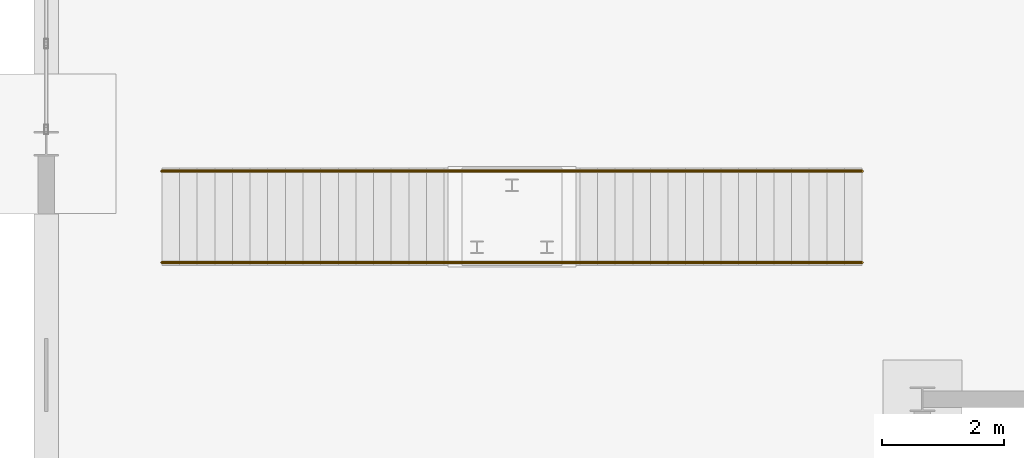
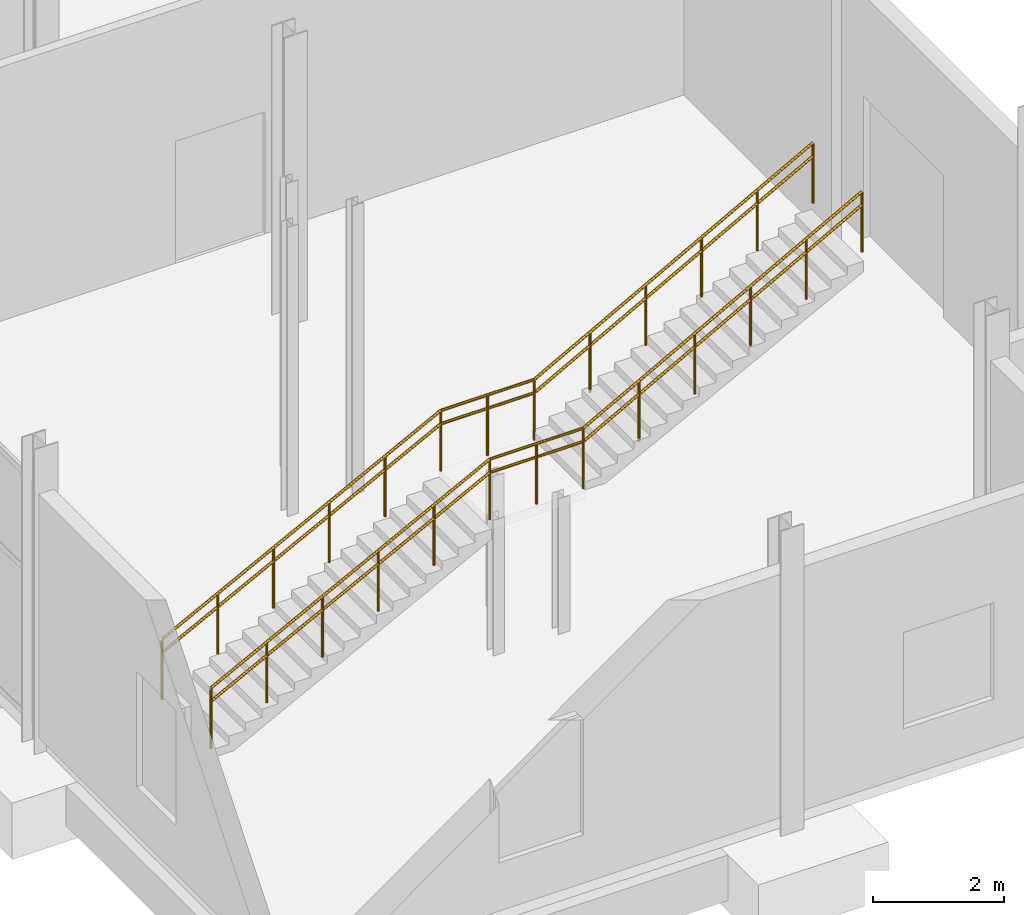
# One storey, part 92 of 95: 4 railings.
"""IFC4 building model written with IfcOpenShell, lengths in metres."""

import ifcopenshell
import ifcopenshell.guid

model = None  # the IFC model being written
_history = None  # IfcOwnerHistory: only IFC2X3 demands one
_inside = {}  # id of a spatial element -> (the spatial element, [elements in it])
_under = {}  # id of a project, library or spatial element -> (it, [spatial elements below it])
_declared = {}  # id of a project -> (the project, [libraries it declares])
_typed = {}  # id of a type object -> (the type object, [elements of that type])
_made_of = {}  # id of a material, layer set ... -> (it, [elements and type objects made of it])


def new_model(schema):
    """Start an empty IFC model of exactly this schema.

    Asked for "IFC4X3", IfcOpenShell would pick the latest addendum, in which some entities
    have other attributes; the version numbers below select the first issue.
    IFC2X3 requires an IfcOwnerHistory on every rooted entity: one is made here for all.
    """
    global model, _history
    if schema == "IFC4X3":
        model = ifcopenshell.file(schema_version=(4, 3, 0, 0))
    else:
        model = ifcopenshell.file(schema=schema)
    _inside.clear()
    _under.clear()
    _declared.clear()
    _typed.clear()
    _made_of.clear()
    _history = None
    if model.schema == "IFC2X3":
        org = make("IfcOrganization", Name="unknown")
        user = make(
            "IfcPersonAndOrganization",
            ThePerson=make("IfcPerson", FamilyName="unknown"),
            TheOrganization=org,
        )
        app = make(
            "IfcApplication",
            ApplicationDeveloper=org,
            Version="unknown",
            ApplicationFullName="unknown",
            ApplicationIdentifier="unknown",
        )
        _history = make(
            "IfcOwnerHistory",
            OwningUser=user,
            OwningApplication=app,
            ChangeAction="ADDED",
            CreationDate=0,
        )
    return model


def make(cls, **values):
    """One entity of the class cls with the attributes given. An attribute that is None is left unset."""
    return model.create_entity(
        cls, **{name: value for name, value in values.items() if value is not None}
    )


def rooted(cls, **values):
    """An entity with a GlobalId (a new one), such as an element, a storey or a relation."""
    return make(cls, GlobalId=ifcopenshell.guid.new(), OwnerHistory=_history, **values)


def si_unit(unit_type, name, prefix=None):
    """IfcSIUnit, for example si_unit("LENGTHUNIT", "METRE", prefix="MILLI")."""
    return make("IfcSIUnit", UnitType=unit_type, Prefix=prefix, Name=name)


def assignment(units):
    """IfcUnitAssignment: the units of a project."""
    return None if units is None else make("IfcUnitAssignment", Units=units)


def point(xyz):
    """IfcCartesianPoint."""
    return None if xyz is None else make("IfcCartesianPoint", Coordinates=xyz)


def direction(xyz):
    """IfcDirection."""
    return None if xyz is None else make("IfcDirection", DirectionRatios=xyz)


def frame(location, z_axis=None, x_axis=None):
    """IfcAxis2Placement3D, a coordinate frame: its origin and axes. An axis left out is left unset."""
    return make(
        "IfcAxis2Placement3D",
        Location=point(location),
        Axis=direction(z_axis),
        RefDirection=direction(x_axis),
    )


def frame_2d(location, x_axis=None):
    """IfcAxis2Placement2D, a coordinate frame in the plane: its origin and x axis."""
    return make(
        "IfcAxis2Placement2D", Location=point(location), RefDirection=direction(x_axis)
    )


def origin():
    """The frame at (0, 0, 0) with its axes left unset."""
    return frame((0.0, 0.0, 0.0))


def origin_2d():
    """The frame at (0, 0) in the plane with its x axis left unset."""
    return frame_2d((0.0, 0.0))


def place(relative_to, where):
    """IfcLocalPlacement: puts the frame where relative to a parent placement (None: the world)."""
    return make(
        "IfcLocalPlacement", PlacementRelTo=relative_to, RelativePlacement=where
    )


def context(
    kind, dimensions, precision=None, world=None, true_north=None, identifier=None
):
    """IfcGeometricRepresentationContext, for example the 3D "Model" context."""
    return make(
        "IfcGeometricRepresentationContext",
        ContextIdentifier=identifier,
        ContextType=kind,
        CoordinateSpaceDimension=dimensions,
        Precision=precision,
        WorldCoordinateSystem=world,
        TrueNorth=true_north,
    )


def subcontext(parent, identifier, kind, view, scale=None):
    """IfcGeometricRepresentationSubContext, for example "Body" below "Model"."""
    return make(
        "IfcGeometricRepresentationSubContext",
        ContextIdentifier=identifier,
        ContextType=kind,
        ParentContext=parent,
        TargetScale=scale,
        TargetView=view,
    )


def project(units=None, contexts=None):
    """IfcProject with its units and contexts."""
    return rooted(
        "IfcProject",
        Name="project",
        RepresentationContexts=contexts,
        UnitsInContext=assignment(units),
    )


def spatial(cls, under=None, at=None, **own):
    """A site, building, storey or space (cls), placed at a placement, below another one or the project."""
    s = rooted(cls, ObjectPlacement=at, **own)
    if under is not None:
        _under.setdefault(under.id(), (under, []))[1].append(s)
    return s


def profile(cls, at=None, kind="AREA", **sizes):
    """A parametric profile (cls). Its sizes go by their IFC names, for example OverallWidth=200.0."""
    return make(cls, ProfileType=kind, Position=at, **sizes)


def circle(**sizes):
    """IfcCircleProfileDef."""
    return profile("IfcCircleProfileDef", **sizes)


def extrude(swept, where, along, depth):
    """IfcExtrudedAreaSolid: the profile swept, set in the frame where, extruded along a direction by depth."""
    return make(
        "IfcExtrudedAreaSolid",
        SweptArea=swept,
        Position=where,
        ExtrudedDirection=direction(along),
        Depth=depth,
    )


def shape(context_of_items, identifier, shape_type, items):
    """IfcShapeRepresentation: the items that make up one representation, for example the "Body"."""
    return make(
        "IfcShapeRepresentation",
        ContextOfItems=context_of_items,
        RepresentationIdentifier=identifier,
        RepresentationType=shape_type,
        Items=items,
    )


def material(Name=None, Category=None):
    """IfcMaterial."""
    return make("IfcMaterial", Name=Name, Category=Category)


def made_of(thing, what):
    """Note that an element or type object is made of a material, layer set ...; save() writes the relation."""
    if what is not None:
        _made_of.setdefault(what.id(), (what, []))[1].append(thing)
    return thing


def type_object(cls, material=None, **own):
    """A type object (cls), such as IfcWallType, which elements share."""
    return made_of(rooted(cls, **own), material)


def element(
    cls,
    number,
    at=None,
    inside=None,
    cuts=None,
    type_object=None,
    material=None,
    context=None,
    identifier="Body",
    shape_type=None,
    held_by="IfcProductDefinitionShape",
    body=None,
    shapes=None,
    **own,
):
    """One element of the class cls, such as IfcWall. Its Tag is "e" and its number.

    at: its placement. inside: the storey or other place that contains it. cuts: it is an
    opening in that element (IfcRelVoidsElement). A single representation is given by context,
    identifier, shape_type and body (its items); several are given by shapes. held_by: the class
    of the entity that holds the representations. save() writes the other relations.
    """
    e = rooted(cls, Tag="e%d" % number, ObjectPlacement=at, **own)
    if body is not None:
        shapes = [shape(context, identifier, shape_type, body)]
    if shapes is not None:
        e.Representation = make(held_by, Representations=shapes)
    if inside is not None:
        _inside.setdefault(inside.id(), (inside, []))[1].append(e)
    if cuts is not None:
        rooted(
            "IfcRelVoidsElement", RelatingBuildingElement=cuts, RelatedOpeningElement=e
        )
    if type_object is not None:
        _typed.setdefault(type_object.id(), (type_object, []))[1].append(e)
    return made_of(e, material)


def aggregate(whole, parts):
    """IfcRelAggregates: a whole, such as a stair, and the parts it consists of."""
    return rooted("IfcRelAggregates", RelatingObject=whole, RelatedObjects=parts)


def save(model, path):
    """Write the relations noted so far, then the file.

    IfcRelAggregates (storeys below a building ...), IfcRelContainedInSpatialStructure (elements
    in a storey), IfcRelDefinesByType, IfcRelAssociatesMaterial and IfcRelDeclares: one each for
    every whole, place, type object, material and project.
    """
    for whole, parts in _under.values():
        aggregate(whole, parts)
    for where, things in _inside.values():
        rooted(
            "IfcRelContainedInSpatialStructure",
            RelatedElements=things,
            RelatingStructure=where,
        )
    for kind, things in _typed.values():
        rooted("IfcRelDefinesByType", RelatedObjects=things, RelatingType=kind)
    for what, things in _made_of.values():
        rooted("IfcRelAssociatesMaterial", RelatedObjects=things, RelatingMaterial=what)
    for by, libraries in _declared.values():
        rooted("IfcRelDeclares", RelatingContext=by, RelatedDefinitions=libraries)
    model.write(path)


model = new_model("IFC4")

# Units and contexts
model_context = context("Model", 3, precision=1e-05, world=origin(), true_north=direction((0.0, 1.0)))
body_context = subcontext(model_context, "Body", "Model", "MODEL_VIEW")
ifc_project = project(units=[si_unit("LENGTHUNIT", "METRE"), si_unit("AREAUNIT", "SQUARE_METRE"), si_unit("VOLUMEUNIT", "CUBIC_METRE"), si_unit("PLANEANGLEUNIT", "RADIAN"), si_unit("MASSUNIT", "GRAM", prefix="KILO")], contexts=[model_context])

# Site, building, storey
site_placement = place(None, origin())
site = spatial("IfcSite", under=ifc_project, at=site_placement, CompositionType="ELEMENT")
building_placement = place(site_placement, origin())
building = spatial("IfcBuilding", under=site, at=building_placement, Name="Shengluoqiao Park Theatre", CompositionType="ELEMENT")
storey_placement = place(building_placement, origin())
storey = spatial("IfcBuildingStorey", under=building, at=storey_placement, Name="L00", CompositionType="ELEMENT", Elevation=0.0)

# Railings
ifc_material_1 = material(Name="Tempered laminated glass", Category="glass")
railing_type_1 = type_object("IfcRailingType", Name="INT-RL-BAL115", PredefinedType="BALUSTRADE", material=ifc_material_1)
railing_1_placement = place(storey_placement, frame((150.300048828125, 5.64990234375, 0.14990234375)))
element("IfcRailing", 1, at=railing_1_placement, inside=storey, type_object=railing_type_1, Name="East Artist Wing Stair 09 Glass Balustrade S", PredefinedType="BALUSTRADE", context=body_context, shape_type="SweptSolid", body=[
    extrude(circle(Radius=0.02392578125, at=origin_2d()), frame((0.0, 0.0, 1.1259765625), z_axis=(0.888211453661, 0.0, 0.459434885034), x_axis=(0.0, 1.0, 0.0)), (0.0, 0.0, 1.0), 5.55029296875),
    extrude(circle(Radius=0.02392578125, at=origin_2d()), frame((4.929931640625, 0.0, 3.67578125), z_axis=(1.0, 0.0, 0.0), x_axis=(0.0, 1.0, 0.0)), (0.0, 0.0, 1.0), 1.64990234375),
    extrude(circle(Radius=0.02392578125, at=origin_2d()), frame((6.579833984375, 0.0, 3.67578125), z_axis=(0.877089297228, 0.0, 0.480327351592), x_axis=(0.0, 1.0, 0.0)), (0.0, 0.0, 1.0), 5.62109375),
    extrude(circle(Radius=0.02099609375, at=origin_2d()), origin(), (0.0, 0.0, 1.0), 1.101806640625),
    extrude(circle(Radius=0.02099609375, at=origin_2d()), frame((0.986083984375, 0.0, 0.510009765625)), (0.0, 0.0, 1.0), 1.101806640625),
    extrude(circle(Radius=0.02099609375, at=origin_2d()), frame((1.971923828125, 0.0, 1.02001953125)), (0.0, 0.0, 1.0), 1.101806640625),
    extrude(circle(Radius=0.02099609375, at=origin_2d()), frame((2.9580078125, 0.0, 1.530029296875)), (0.0, 0.0, 1.0), 1.101806640625),
    extrude(circle(Radius=0.02099609375, at=origin_2d()), frame((3.94384765625, 0.0, 2.0400390625)), (0.0, 0.0, 1.0), 1.101806640625),
    extrude(circle(Radius=0.02099609375, at=origin_2d()), frame((4.929931640625, 0.0, 2.550048828125)), (0.0, 0.0, 1.0), 1.101806640625),
    extrude(circle(Radius=0.02099609375, at=origin_2d()), frame((5.7548828125, 0.0, 2.550048828125)), (0.0, 0.0, 1.0), 1.101806640625),
    extrude(circle(Radius=0.02099609375, at=origin_2d()), frame((6.579833984375, 0.0, 2.550048828125)), (0.0, 0.0, 1.0), 1.101806640625),
    extrude(circle(Radius=0.02099609375, at=origin_2d()), frame((7.56591796875, 0.0, 3.090087890625)), (0.0, 0.0, 1.0), 1.101806640625),
    extrude(circle(Radius=0.02099609375, at=origin_2d()), frame((8.552001953125, 0.0, 3.630126953125)), (0.0, 0.0, 1.0), 1.101806640625),
    extrude(circle(Radius=0.02099609375, at=origin_2d()), frame((9.537841796875, 0.0, 4.169921875)), (0.0, 0.0, 1.0), 1.101806640625),
    extrude(circle(Radius=0.02099609375, at=origin_2d()), frame((10.52392578125, 0.0, 4.7099609375)), (0.0, 0.0, 1.0), 1.101806640625),
    extrude(circle(Radius=0.02099609375, at=origin_2d()), frame((11.510009765625, 0.0, 5.25)), (0.0, 0.0, 1.0), 1.101806640625),
])
railing_2_placement = place(storey_placement, frame((150.300048828125, 7.14990234375, 0.14990234375)))
element("IfcRailing", 2, at=railing_2_placement, inside=storey, type_object=railing_type_1, Name="East Artist Wing Stair 09 Glass Balustrade N", PredefinedType="BALUSTRADE", context=body_context, shape_type="SweptSolid", body=[
    extrude(circle(Radius=0.02392578125, at=origin_2d()), frame((0.0, 0.0, 1.1259765625), z_axis=(0.888211453661, 0.0, 0.459434885034), x_axis=(0.0, 1.0, 0.0)), (0.0, 0.0, 1.0), 5.55029296875),
    extrude(circle(Radius=0.02392578125, at=origin_2d()), frame((4.929931640625, 0.0, 3.67578125), z_axis=(1.0, 0.0, 0.0), x_axis=(0.0, 1.0, 0.0)), (0.0, 0.0, 1.0), 1.64990234375),
    extrude(circle(Radius=0.02392578125, at=origin_2d()), frame((6.579833984375, 0.0, 3.67578125), z_axis=(0.877089297228, 0.0, 0.480327351592), x_axis=(0.0, 1.0, 0.0)), (0.0, 0.0, 1.0), 5.62109375),
    extrude(circle(Radius=0.02099609375, at=origin_2d()), origin(), (0.0, 0.0, 1.0), 1.101806640625),
    extrude(circle(Radius=0.02099609375, at=origin_2d()), frame((0.986083984375, 0.0, 0.510009765625)), (0.0, 0.0, 1.0), 1.101806640625),
    extrude(circle(Radius=0.02099609375, at=origin_2d()), frame((1.971923828125, 0.0, 1.02001953125)), (0.0, 0.0, 1.0), 1.101806640625),
    extrude(circle(Radius=0.02099609375, at=origin_2d()), frame((2.9580078125, 0.0, 1.530029296875)), (0.0, 0.0, 1.0), 1.101806640625),
    extrude(circle(Radius=0.02099609375, at=origin_2d()), frame((3.94384765625, 0.0, 2.0400390625)), (0.0, 0.0, 1.0), 1.101806640625),
    extrude(circle(Radius=0.02099609375, at=origin_2d()), frame((4.929931640625, 0.0, 2.550048828125)), (0.0, 0.0, 1.0), 1.101806640625),
    extrude(circle(Radius=0.02099609375, at=origin_2d()), frame((5.7548828125, 0.0, 2.550048828125)), (0.0, 0.0, 1.0), 1.101806640625),
    extrude(circle(Radius=0.02099609375, at=origin_2d()), frame((6.579833984375, 0.0, 2.550048828125)), (0.0, 0.0, 1.0), 1.101806640625),
    extrude(circle(Radius=0.02099609375, at=origin_2d()), frame((7.56591796875, 0.0, 3.090087890625)), (0.0, 0.0, 1.0), 1.101806640625),
    extrude(circle(Radius=0.02099609375, at=origin_2d()), frame((8.552001953125, 0.0, 3.630126953125)), (0.0, 0.0, 1.0), 1.101806640625),
    extrude(circle(Radius=0.02099609375, at=origin_2d()), frame((9.537841796875, 0.0, 4.169921875)), (0.0, 0.0, 1.0), 1.101806640625),
    extrude(circle(Radius=0.02099609375, at=origin_2d()), frame((10.52392578125, 0.0, 4.7099609375)), (0.0, 0.0, 1.0), 1.101806640625),
    extrude(circle(Radius=0.02099609375, at=origin_2d()), frame((11.510009765625, 0.0, 5.25)), (0.0, 0.0, 1.0), 1.101806640625),
])
ifc_material_2 = material(Name="Stainless steel 304", Category="steel")
railing_type_2 = type_object("IfcRailingType", Name="INT-RL-STHR", PredefinedType="HANDRAIL", material=ifc_material_2)
railing_3_placement = place(storey_placement, frame((150.300048828125, 5.64990234375, 0.14990234375)))
element("IfcRailing", 3, at=railing_3_placement, inside=storey, type_object=railing_type_2, Name="East Artist Wing Stair 09 Handrail S", PredefinedType="HANDRAIL", context=body_context, shape_type="SweptSolid", body=[
    extrude(circle(Radius=0.02392578125, at=origin_2d()), frame((0.0, 0.0, 0.8759765625), z_axis=(0.888211453661, 0.0, 0.459434885034), x_axis=(0.0, 1.0, 0.0)), (0.0, 0.0, 1.0), 5.55029296875),
    extrude(circle(Radius=0.02392578125, at=origin_2d()), frame((4.929931640625, 0.0, 3.42578125), z_axis=(1.0, 0.0, 0.0), x_axis=(0.0, 1.0, 0.0)), (0.0, 0.0, 1.0), 1.64990234375),
    extrude(circle(Radius=0.02392578125, at=origin_2d()), frame((6.579833984375, 0.0, 3.42578125), z_axis=(0.877089297228, 0.0, 0.480327351592), x_axis=(0.0, 1.0, 0.0)), (0.0, 0.0, 1.0), 5.62109375),
    extrude(circle(Radius=0.02099609375, at=origin_2d()), origin(), (0.0, 0.0, 1.0), 0.851806640625),
    extrude(circle(Radius=0.02099609375, at=origin_2d()), frame((0.986083984375, 0.0, 0.510009765625)), (0.0, 0.0, 1.0), 0.851806640625),
    extrude(circle(Radius=0.02099609375, at=origin_2d()), frame((1.971923828125, 0.0, 1.02001953125)), (0.0, 0.0, 1.0), 0.851806640625),
    extrude(circle(Radius=0.02099609375, at=origin_2d()), frame((2.9580078125, 0.0, 1.530029296875)), (0.0, 0.0, 1.0), 0.851806640625),
    extrude(circle(Radius=0.02099609375, at=origin_2d()), frame((3.94384765625, 0.0, 2.0400390625)), (0.0, 0.0, 1.0), 0.851806640625),
    extrude(circle(Radius=0.02099609375, at=origin_2d()), frame((4.929931640625, 0.0, 2.550048828125)), (0.0, 0.0, 1.0), 0.851806640625),
    extrude(circle(Radius=0.02099609375, at=origin_2d()), frame((5.7548828125, 0.0, 2.550048828125)), (0.0, 0.0, 1.0), 0.851806640625),
    extrude(circle(Radius=0.02099609375, at=origin_2d()), frame((6.579833984375, 0.0, 2.550048828125)), (0.0, 0.0, 1.0), 0.851806640625),
    extrude(circle(Radius=0.02099609375, at=origin_2d()), frame((7.56591796875, 0.0, 3.090087890625)), (0.0, 0.0, 1.0), 0.851806640625),
    extrude(circle(Radius=0.02099609375, at=origin_2d()), frame((8.552001953125, 0.0, 3.630126953125)), (0.0, 0.0, 1.0), 0.851806640625),
    extrude(circle(Radius=0.02099609375, at=origin_2d()), frame((9.537841796875, 0.0, 4.169921875)), (0.0, 0.0, 1.0), 0.851806640625),
    extrude(circle(Radius=0.02099609375, at=origin_2d()), frame((10.52392578125, 0.0, 4.7099609375)), (0.0, 0.0, 1.0), 0.851806640625),
    extrude(circle(Radius=0.02099609375, at=origin_2d()), frame((11.510009765625, 0.0, 5.25)), (0.0, 0.0, 1.0), 0.851806640625),
])
railing_4_placement = place(storey_placement, frame((150.300048828125, 7.14990234375, 0.14990234375)))
element("IfcRailing", 4, at=railing_4_placement, inside=storey, type_object=railing_type_2, Name="East Artist Wing Stair 09 Handrail N", PredefinedType="HANDRAIL", context=body_context, shape_type="SweptSolid", body=[
    extrude(circle(Radius=0.02392578125, at=origin_2d()), frame((0.0, 0.0, 0.8759765625), z_axis=(0.888211453661, 0.0, 0.459434885034), x_axis=(0.0, 1.0, 0.0)), (0.0, 0.0, 1.0), 5.55029296875),
    extrude(circle(Radius=0.02392578125, at=origin_2d()), frame((4.929931640625, 0.0, 3.42578125), z_axis=(1.0, 0.0, 0.0), x_axis=(0.0, 1.0, 0.0)), (0.0, 0.0, 1.0), 1.64990234375),
    extrude(circle(Radius=0.02392578125, at=origin_2d()), frame((6.579833984375, 0.0, 3.42578125), z_axis=(0.877089297228, 0.0, 0.480327351592), x_axis=(0.0, 1.0, 0.0)), (0.0, 0.0, 1.0), 5.62109375),
    extrude(circle(Radius=0.02099609375, at=origin_2d()), origin(), (0.0, 0.0, 1.0), 0.851806640625),
    extrude(circle(Radius=0.02099609375, at=origin_2d()), frame((0.986083984375, 0.0, 0.510009765625)), (0.0, 0.0, 1.0), 0.851806640625),
    extrude(circle(Radius=0.02099609375, at=origin_2d()), frame((1.971923828125, 0.0, 1.02001953125)), (0.0, 0.0, 1.0), 0.851806640625),
    extrude(circle(Radius=0.02099609375, at=origin_2d()), frame((2.9580078125, 0.0, 1.530029296875)), (0.0, 0.0, 1.0), 0.851806640625),
    extrude(circle(Radius=0.02099609375, at=origin_2d()), frame((3.94384765625, 0.0, 2.0400390625)), (0.0, 0.0, 1.0), 0.851806640625),
    extrude(circle(Radius=0.02099609375, at=origin_2d()), frame((4.929931640625, 0.0, 2.550048828125)), (0.0, 0.0, 1.0), 0.851806640625),
    extrude(circle(Radius=0.02099609375, at=origin_2d()), frame((5.7548828125, 0.0, 2.550048828125)), (0.0, 0.0, 1.0), 0.851806640625),
    extrude(circle(Radius=0.02099609375, at=origin_2d()), frame((6.579833984375, 0.0, 2.550048828125)), (0.0, 0.0, 1.0), 0.851806640625),
    extrude(circle(Radius=0.02099609375, at=origin_2d()), frame((7.56591796875, 0.0, 3.090087890625)), (0.0, 0.0, 1.0), 0.851806640625),
    extrude(circle(Radius=0.02099609375, at=origin_2d()), frame((8.552001953125, 0.0, 3.630126953125)), (0.0, 0.0, 1.0), 0.851806640625),
    extrude(circle(Radius=0.02099609375, at=origin_2d()), frame((9.537841796875, 0.0, 4.169921875)), (0.0, 0.0, 1.0), 0.851806640625),
    extrude(circle(Radius=0.02099609375, at=origin_2d()), frame((10.52392578125, 0.0, 4.7099609375)), (0.0, 0.0, 1.0), 0.851806640625),
    extrude(circle(Radius=0.02099609375, at=origin_2d()), frame((11.510009765625, 0.0, 5.25)), (0.0, 0.0, 1.0), 0.851806640625),
])

save(model, "model.ifc")
